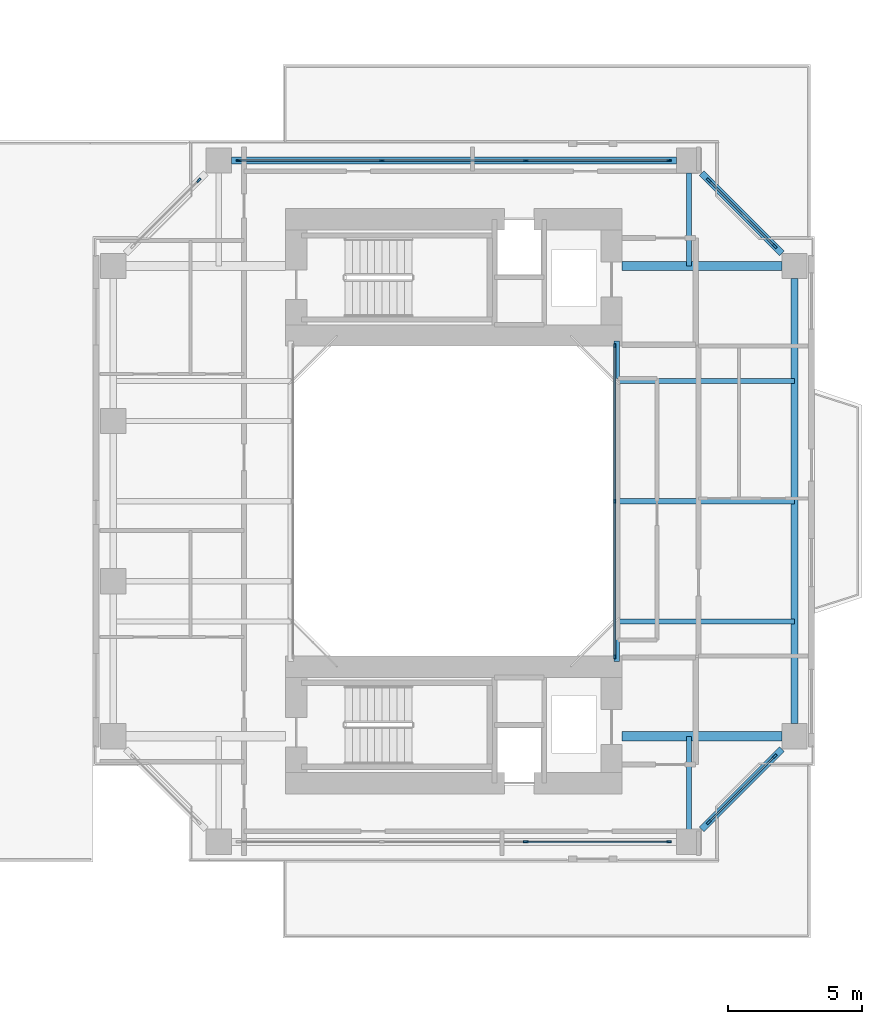
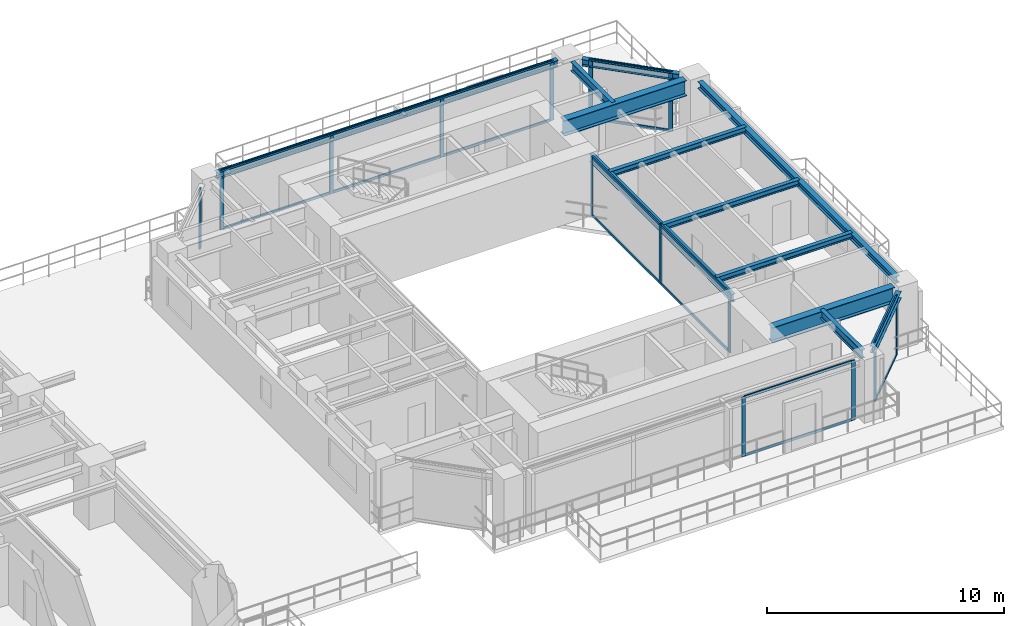
# One storey, part 8 of 22: 30 members, 12 beams, 6 elements without a shape of their own.
"""IFC4 building model written with IfcOpenShell, lengths in metres."""

from ifc_helpers import new_model, si_unit, direction, frame, origin, origin_2d, place, context, subcontext, project, spatial, rectangle, i_section, extrude, source, transform, mapped, material, layer, layer_set, material_profile, profile_set, type_object, element, aggregate, save


model = new_model("IFC4")

# Units and contexts
model_context = context("Model", 3, precision=1e-05, world=origin(), true_north=direction((0.0, 1.0)))
body_context = subcontext(model_context, "Body", "Model", "MODEL_VIEW")
ifc_project = project(units=[si_unit("LENGTHUNIT", "METRE"), si_unit("AREAUNIT", "SQUARE_METRE"), si_unit("VOLUMEUNIT", "CUBIC_METRE"), si_unit("PLANEANGLEUNIT", "RADIAN"), si_unit("MASSUNIT", "GRAM", prefix="KILO"), si_unit("THERMODYNAMICTEMPERATUREUNIT", "KELVIN"), si_unit("POWERUNIT", "WATT")], contexts=[model_context])

# Site, building, storey
site_placement = place(None, origin())
site = spatial("IfcSite", under=ifc_project, at=site_placement, CompositionType="ELEMENT")
building_placement = place(site_placement, origin())
building = spatial("IfcBuilding", under=site, at=building_placement, Name="Qiaomeng Ring Towers", CompositionType="ELEMENT")
storey_placement = place(building_placement, frame((0.0, 0.0, 23.0)))
storey = spatial("IfcBuildingStorey", under=building, at=storey_placement, Name="L05", CompositionType="ELEMENT", Elevation=23.0)

# Beams
ifc_material_1 = material(Name="Steel Q355B", Category="steel")
ifc_material_profile_1 = material_profile(ifc_material_1, i_section(OverallWidth=0.25, OverallDepth=0.340087890625, WebThickness=0.009033203125, FlangeThickness=0.013916015625, FilletRadius=0.02001953125, at=origin_2d()), Name="HM 340x250x9x14")
ifc_profile_set_1 = profile_set([ifc_material_profile_1], Name="Steel Q355B")
beam_type_1 = type_object("IfcBeamType", Name="STR-BM-HM340", PredefinedType="SPANDREL", material=ifc_profile_set_1)
shared_shape_1 = source(origin(), body_context, "Body", "SweptSolid", [
    extrude(i_section(OverallWidth=0.25, OverallDepth=0.340087890625, WebThickness=0.009033203125, FlangeThickness=0.013916015625, FilletRadius=0.02001953125, at=origin_2d()), origin(), (0.0, 0.0, 1.0), 16.65185546875),
])
for number, where, z_axis, x_axis, name in (
    (1, (73.25, 14.674072265625, 2.89990234375), (0.0, 1.0, 0.0), (-1.0, 0.0, 0.0), "L05 beam STR-SP-L05-T2-E1-E2"),
    (2, (68.825927734375, 35.75, 2.89990234375), (-1.0, 0.0, 0.0), (0.0, -1.0, 0.0), "L05 beam STR-SP-L05-T2-N2-N1"),
):
    element("IfcBeam", number, at=place(storey_placement, frame(where, z_axis=z_axis, x_axis=x_axis)), inside=storey, type_object=beam_type_1, Name=name, PredefinedType="SPANDREL", context=body_context, shape_type="MappedRepresentation", body=[
        mapped(shared_shape_1, transform((0.0, 0.0, 0.0), x_axis=(1.0, 0.0, 0.0), y_axis=(0.0, 1.0, 0.0), z_axis=(0.0, 0.0, 1.0), scale=1.0)),
    ])
shared_shape_2 = source(origin(), body_context, "Body", "SweptSolid", [
    extrude(i_section(OverallWidth=0.25, OverallDepth=0.340087890625, WebThickness=0.009033203125, FlangeThickness=0.013916015625, FilletRadius=0.02001953125, at=origin_2d()), origin(), (0.0, 0.0, 1.0), 4.244384765625),
])
for number, where, z_axis, x_axis, name in (
    (3, (69.7744140625, 10.724365234375, 2.89990234375), (0.707106781187, 0.707106781187, 0.0), (-0.707106781187, 0.707106781187, 0.0), "L05 beam STR-SP-L05-T2-S2-E1"),
    (4, (72.775634765625, 32.2744140625, 2.89990234375), (-0.707106781187, 0.707106781187, 0.0), (-0.707106781187, -0.707106781187, 0.0), "L05 beam STR-SP-L05-T2-E2-N2"),
):
    element("IfcBeam", number, at=place(storey_placement, frame(where, z_axis=z_axis, x_axis=x_axis)), inside=storey, type_object=beam_type_1, Name=name, PredefinedType="SPANDREL", context=body_context, shape_type="MappedRepresentation", body=[
        mapped(shared_shape_2, transform((0.0, 0.0, 0.0), x_axis=(1.0, 0.0, 0.0), y_axis=(0.0, 1.0, 0.0), z_axis=(0.0, 0.0, 1.0), scale=1.0)),
    ])
ifc_material_profile_2 = material_profile(ifc_material_1, i_section(OverallWidth=0.199951171875, OverallDepth=0.39990234375, WebThickness=0.008056640625, FlangeThickness=0.012939453125, FilletRadius=0.01611328125, at=origin_2d()), Name="HN 400x200x8x13")
ifc_profile_set_2 = profile_set([ifc_material_profile_2], Name="Steel Q355B")
beam_type_2 = type_object("IfcBeamType", Name="STR-BM-HN400", PredefinedType="SPANDREL", material=ifc_profile_set_2)
shared_shape_3 = source(origin(), body_context, "Body", "SweptSolid", [
    extrude(i_section(OverallWidth=0.199951171875, OverallDepth=0.39990234375, WebThickness=0.008056640625, FlangeThickness=0.012939453125, FilletRadius=0.01611328125, at=origin_2d()), origin(), (0.0, 0.0, 1.0), 12.0),
])
beam_placement = place(storey_placement, frame((66.60009765625, 17.0, 2.8701171875), z_axis=(0.0, 1.0, 0.0), x_axis=(-1.0, 0.0, 0.0)))
element("IfcBeam", 5, at=beam_placement, inside=storey, type_object=beam_type_2, Name="L05 beam STR-BM-L05-T2-WELL-E", PredefinedType="SPANDREL", context=body_context, shape_type="MappedRepresentation", body=[
    mapped(shared_shape_3, transform((0.0, 0.0, 0.0), x_axis=(1.0, 0.0, 0.0), y_axis=(0.0, 1.0, 0.0), z_axis=(0.0, 0.0, 1.0), scale=1.0)),
])
ifc_material_2 = material(Name="Steel Q390GJC", Category="steel")
ifc_material_profile_3 = material_profile(ifc_material_2, i_section(OverallWidth=0.35009765625, OverallDepth=0.800048828125, WebThickness=0.01611328125, FlangeThickness=0.028076171875, at=origin_2d()), Name="WH 800x350x16x28")
ifc_profile_set_3 = profile_set([ifc_material_profile_3], Name="Steel Q390GJC")
beam_type_3 = type_object("IfcBeamType", Name="STR-BM-WH800", PredefinedType="BEAM", material=ifc_profile_set_3)
shared_shape_4 = source(origin(), body_context, "Body", "SweptSolid", [
    extrude(i_section(OverallWidth=0.35009765625, OverallDepth=0.800048828125, WebThickness=0.01611328125, FlangeThickness=0.028076171875, at=origin_2d()), origin(), (0.0, 0.0, 1.0), 5.975830078125),
])
for number, where, z_axis, x_axis, name in (
    (6, (66.800048828125, 14.199951171875, 2.669921875), (1.0, 0.0, 0.0), (0.0, 1.0, 0.0), "L05 beam STR-BM-L05-T2-RAD-E1"),
    (7, (66.800048828125, 31.800048828125, 2.669921875), (1.0, 0.0, 0.0), (0.0, 1.0, 0.0), "L05 beam STR-BM-L05-T2-RAD-E2"),
):
    element("IfcBeam", number, at=place(storey_placement, frame(where, z_axis=z_axis, x_axis=x_axis)), inside=storey, type_object=beam_type_3, Name=name, PredefinedType="BEAM", context=body_context, shape_type="MappedRepresentation", body=[
        mapped(shared_shape_4, transform((0.0, 0.0, 0.0), x_axis=(1.0, 0.0, 0.0), y_axis=(0.0, 1.0, 0.0), z_axis=(0.0, 0.0, 1.0), scale=1.0)),
    ])
ifc_material_profile_4 = material_profile(ifc_material_1, i_section(OverallWidth=0.199951171875, OverallDepth=0.449951171875, WebThickness=0.009033203125, FlangeThickness=0.013916015625, FilletRadius=0.01806640625, at=origin_2d()), Name="HN 450x200x9x14")
ifc_profile_set_4 = profile_set([ifc_material_profile_4], Name="Steel Q355B")
beam_type_4 = type_object("IfcBeamType", Name="STR-BM-HN450", PredefinedType="SPANDREL", material=ifc_profile_set_4)
shared_shape_5 = source(origin(), body_context, "Body", "SweptSolid", [
    extrude(i_section(OverallWidth=0.199951171875, OverallDepth=0.449951171875, WebThickness=0.009033203125, FlangeThickness=0.013916015625, FilletRadius=0.01806640625, at=origin_2d()), origin(), (0.0, 0.0, 1.0), 3.475830078125),
])
for number, where, z_axis, x_axis, name in (
    (8, (69.300048828125, 35.27587890625, 2.844970703125), (0.0, -1.0, 0.0), (1.0, 0.0, 0.0), "L05 beam STR-BM-L05-T2-RAD-N2"),
    (9, (69.300048828125, 10.72412109375, 2.844970703125), (0.0, 1.0, 0.0), (-1.0, 0.0, 0.0), "L05 beam STR-BM-L05-T2-RAD-S2"),
):
    element("IfcBeam", number, at=place(storey_placement, frame(where, z_axis=z_axis, x_axis=x_axis)), inside=storey, type_object=beam_type_4, Name=name, PredefinedType="SPANDREL", context=body_context, shape_type="MappedRepresentation", body=[
        mapped(shared_shape_5, transform((0.0, 0.0, 0.0), x_axis=(1.0, 0.0, 0.0), y_axis=(0.0, 1.0, 0.0), z_axis=(0.0, 0.0, 1.0), scale=1.0)),
    ])
ifc_material_profile_5 = material_profile(ifc_material_1, i_section(OverallWidth=0.199951171875, OverallDepth=0.2939453125, WebThickness=0.008056640625, FlangeThickness=0.011962890625, FilletRadius=0.01806640625, at=origin_2d()), Name="HM 294x200x8x12")
ifc_profile_set_5 = profile_set([ifc_material_profile_5], Name="Steel Q355B")
beam_type_5 = type_object("IfcBeamType", Name="STR-BM-HM294", PredefinedType="JOIST", material=ifc_profile_set_5)
shared_shape_6 = source(origin(), body_context, "Body", "SweptSolid", [
    extrude(i_section(OverallWidth=0.199951171875, OverallDepth=0.2939453125, WebThickness=0.008056640625, FlangeThickness=0.011962890625, FilletRadius=0.01806640625, at=origin_2d()), origin(), (0.0, 0.0, 1.0), 6.64990234375),
])
for number, where, z_axis, x_axis, name in (
    (10, (66.60009765625, 18.5, 2.923095703125), (1.0, 0.0, 0.0), (0.0, 1.0, 0.0), "L05 beam STR-JST-L05-T2E-1"),
    (11, (66.60009765625, 23.0, 2.923095703125), (1.0, 0.0, 0.0), (0.0, 1.0, 0.0), "L05 beam STR-JST-L05-T2E-2"),
    (12, (66.60009765625, 27.5, 2.923095703125), (1.0, 0.0, 0.0), (0.0, 1.0, 0.0), "L05 beam STR-JST-L05-T2E-3"),
):
    element("IfcBeam", number, at=place(storey_placement, frame(where, z_axis=z_axis, x_axis=x_axis)), inside=storey, type_object=beam_type_5, Name=name, PredefinedType="JOIST", context=body_context, shape_type="MappedRepresentation", body=[
        mapped(shared_shape_6, transform((0.0, 0.0, 0.0), x_axis=(1.0, 0.0, 0.0), y_axis=(0.0, 1.0, 0.0), z_axis=(0.0, 0.0, 1.0), scale=1.0)),
    ])

# Curtain wall, members
ifc_material_3 = material(Name="Fluorocarbon dark-grey aluminium", Category="aluminium")
ifc_layer_1 = layer(ifc_material_3, 0.139892578125, Name="Fluorocarbon dark-grey aluminium")
ifc_layer_set_1 = layer_set([ifc_layer_1], Name="Fluorocarbon dark-grey aluminium")
curtain_wall_type_1 = type_object("IfcCurtainWallType", Name="ARC-CW-4", PredefinedType="NOTDEFINED", material=ifc_layer_set_1)
curtain_wall_1_placement = place(storey_placement, origin())
curtain_wall_1 = element("IfcCurtainWall", 13, at=curtain_wall_1_placement, inside=storey, type_object=curtain_wall_type_1, Name="L05 Curtain Wall CW4", PredefinedType="NOTDEFINED")
ifc_material_profile_6 = material_profile(ifc_material_3, rectangle(XDim=0.06494140625, YDim=0.159912109375, at=origin_2d()), Name="ALU MULL 65x160")
ifc_profile_set_6 = profile_set([ifc_material_profile_6], Name="Fluorocarbon dark-grey aluminium")
member_type_1 = type_object("IfcMemberType", Name="ARC-CWM-140", PredefinedType="MULLION", material=ifc_profile_set_6)
shared_shape_7 = source(origin(), body_context, "Body", "SweptSolid", [
    extrude(rectangle(XDim=0.06494140625, YDim=0.159912109375, at=origin_2d()), origin(), (0.0, 0.0, 1.0), 3.070068359375),
])
member_1_placement = place(storey_placement, frame((66.52001953125, 17.1826171875, 0.0), z_axis=(0.0, 0.0, 1.0), x_axis=(-1.0, 0.0, 0.0)))
member_1 = element("IfcMember", 14, at=member_1_placement, type_object=member_type_1, Name="CW4 mullion 1", PredefinedType="MULLION", context=body_context, shape_type="MappedRepresentation", body=[
    mapped(shared_shape_7, transform((0.0, 0.0, 0.0), x_axis=(1.0, 0.0, 0.0), y_axis=(0.0, 1.0, 0.0), z_axis=(0.0, 0.0, 1.0), scale=1.0)),
])
member_2_placement = place(storey_placement, frame((66.52001953125, 23.0, 0.0), z_axis=(0.0, 0.0, 1.0), x_axis=(-1.0, 0.0, 0.0)))
member_2 = element("IfcMember", 15, at=member_2_placement, type_object=member_type_1, Name="CW4 mullion 2", PredefinedType="MULLION", context=body_context, shape_type="MappedRepresentation", body=[
    mapped(shared_shape_7, transform((0.0, 0.0, 0.0), x_axis=(1.0, 0.0, 0.0), y_axis=(0.0, 1.0, 0.0), z_axis=(0.0, 0.0, 1.0), scale=1.0)),
])
member_3_placement = place(storey_placement, frame((66.52001953125, 28.8173828125, 0.0), z_axis=(0.0, 0.0, 1.0), x_axis=(-1.0, 0.0, 0.0)))
member_3 = element("IfcMember", 16, at=member_3_placement, type_object=member_type_1, Name="CW4 mullion 3", PredefinedType="MULLION", context=body_context, shape_type="MappedRepresentation", body=[
    mapped(shared_shape_7, transform((0.0, 0.0, 0.0), x_axis=(1.0, 0.0, 0.0), y_axis=(0.0, 1.0, 0.0), z_axis=(0.0, 0.0, 1.0), scale=1.0)),
])
ifc_material_profile_7 = material_profile(ifc_material_3, rectangle(XDim=0.06494140625, YDim=0.1298828125, at=origin_2d()), Name="ALU TRAN 65x130")
ifc_profile_set_7 = profile_set([ifc_material_profile_7], Name="Fluorocarbon dark-grey aluminium")
member_type_2 = type_object("IfcMemberType", Name="ARC-CWT-120", PredefinedType="USERDEFINED", material=ifc_profile_set_7)
shared_shape_8 = source(origin(), body_context, "Body", "SweptSolid", [
    extrude(rectangle(XDim=0.06494140625, YDim=0.1298828125, at=origin_2d()), origin(), (0.0, 0.0, 1.0), 5.75244140625),
])
member_4_placement = place(storey_placement, frame((66.52001953125, 17.215087890625, 0.032470703125), z_axis=(0.0, 1.0, 0.0), x_axis=(-1.0, 0.0, 0.0)))
member_4 = element("IfcMember", 17, at=member_4_placement, type_object=member_type_2, Name="CW4 transom 1.1", ObjectType="TRANSOM", PredefinedType="USERDEFINED", context=body_context, shape_type="MappedRepresentation", body=[
    mapped(shared_shape_8, transform((0.0, 0.0, 0.0), x_axis=(1.0, 0.0, 0.0), y_axis=(0.0, 1.0, 0.0), z_axis=(0.0, 0.0, 1.0), scale=1.0)),
])
member_5_placement = place(storey_placement, frame((66.52001953125, 17.215087890625, 3.03759765625), z_axis=(0.0, 1.0, 0.0), x_axis=(-1.0, 0.0, 0.0)))
member_5 = element("IfcMember", 18, at=member_5_placement, type_object=member_type_2, Name="CW4 transom 1.2", ObjectType="TRANSOM", PredefinedType="USERDEFINED", context=body_context, shape_type="MappedRepresentation", body=[
    mapped(shared_shape_8, transform((0.0, 0.0, 0.0), x_axis=(1.0, 0.0, 0.0), y_axis=(0.0, 1.0, 0.0), z_axis=(0.0, 0.0, 1.0), scale=1.0)),
])
member_6_placement = place(storey_placement, frame((66.52001953125, 23.032470703125, 0.032470703125), z_axis=(0.0, 1.0, 0.0), x_axis=(-1.0, 0.0, 0.0)))
member_6 = element("IfcMember", 19, at=member_6_placement, type_object=member_type_2, Name="CW4 transom 2.1", ObjectType="TRANSOM", PredefinedType="USERDEFINED", context=body_context, shape_type="MappedRepresentation", body=[
    mapped(shared_shape_8, transform((0.0, 0.0, 0.0), x_axis=(1.0, 0.0, 0.0), y_axis=(0.0, 1.0, 0.0), z_axis=(0.0, 0.0, 1.0), scale=1.0)),
])
member_7_placement = place(storey_placement, frame((66.52001953125, 23.032470703125, 3.03759765625), z_axis=(0.0, 1.0, 0.0), x_axis=(-1.0, 0.0, 0.0)))
member_7 = element("IfcMember", 20, at=member_7_placement, type_object=member_type_2, Name="CW4 transom 2.2", ObjectType="TRANSOM", PredefinedType="USERDEFINED", context=body_context, shape_type="MappedRepresentation", body=[
    mapped(shared_shape_8, transform((0.0, 0.0, 0.0), x_axis=(1.0, 0.0, 0.0), y_axis=(0.0, 1.0, 0.0), z_axis=(0.0, 0.0, 1.0), scale=1.0)),
])
aggregate(curtain_wall_1, [member_1, member_2, member_3, member_4, member_5, member_6, member_7])

ifc_layer_2 = layer(ifc_material_3, 0.14990234375, Name="Fluorocarbon dark-grey aluminium")
ifc_layer_set_2 = layer_set([ifc_layer_2], Name="Fluorocarbon dark-grey aluminium")
curtain_wall_type_2 = type_object("IfcCurtainWallType", Name="ARC-CW-5", PredefinedType="NOTDEFINED", material=ifc_layer_set_2)
curtain_wall_2_placement = place(storey_placement, origin())
curtain_wall_2 = element("IfcCurtainWall", 21, at=curtain_wall_2_placement, inside=storey, type_object=curtain_wall_type_2, Name="L05 Curtain Wall CW5", PredefinedType="NOTDEFINED")
ifc_material_profile_8 = material_profile(ifc_material_3, rectangle(XDim=0.070068359375, YDim=0.179931640625, at=origin_2d()), Name="ALU MULL 70x180")
ifc_profile_set_8 = profile_set([ifc_material_profile_8], Name="Fluorocarbon dark-grey aluminium")
member_type_3 = type_object("IfcMemberType", Name="ARC-CWM-160", PredefinedType="MULLION", material=ifc_profile_set_8)
shared_shape_9 = source(origin(), body_context, "Body", "SweptSolid", [
    extrude(rectangle(XDim=0.070068359375, YDim=0.179931640625, at=origin_2d()), origin(), (0.0, 0.0, 1.0), 3.070068359375),
])
member_8_placement = place(storey_placement, frame((52.449951171875, 35.75, 0.0), z_axis=(0.0, 0.0, 1.0), x_axis=(0.0, 1.0, 0.0)))
member_8 = element("IfcMember", 22, at=member_8_placement, type_object=member_type_3, Name="CW5 mullion 1", PredefinedType="MULLION", context=body_context, shape_type="MappedRepresentation", body=[
    mapped(shared_shape_9, transform((0.0, 0.0, 0.0), x_axis=(1.0, 0.0, 0.0), y_axis=(0.0, 1.0, 0.0), z_axis=(0.0, 0.0, 1.0), scale=1.0)),
])
member_9_placement = place(storey_placement, frame((57.804931640625, 35.75, 0.0), z_axis=(0.0, 0.0, 1.0), x_axis=(0.0, 1.0, 0.0)))
member_9 = element("IfcMember", 23, at=member_9_placement, type_object=member_type_3, Name="CW5 mullion 2", PredefinedType="MULLION", context=body_context, shape_type="MappedRepresentation", body=[
    mapped(shared_shape_9, transform((0.0, 0.0, 0.0), x_axis=(1.0, 0.0, 0.0), y_axis=(0.0, 1.0, 0.0), z_axis=(0.0, 0.0, 1.0), scale=1.0)),
])
member_10_placement = place(storey_placement, frame((63.195068359375, 35.75, 0.0), z_axis=(0.0, 0.0, 1.0), x_axis=(0.0, 1.0, 0.0)))
member_10 = element("IfcMember", 24, at=member_10_placement, type_object=member_type_3, Name="CW5 mullion 3", PredefinedType="MULLION", context=body_context, shape_type="MappedRepresentation", body=[
    mapped(shared_shape_9, transform((0.0, 0.0, 0.0), x_axis=(1.0, 0.0, 0.0), y_axis=(0.0, 1.0, 0.0), z_axis=(0.0, 0.0, 1.0), scale=1.0)),
])
member_11_placement = place(storey_placement, frame((68.550048828125, 35.75, 0.0), z_axis=(0.0, 0.0, 1.0), x_axis=(0.0, 1.0, 0.0)))
member_11 = element("IfcMember", 25, at=member_11_placement, type_object=member_type_3, Name="CW5 mullion 4", PredefinedType="MULLION", context=body_context, shape_type="MappedRepresentation", body=[
    mapped(shared_shape_9, transform((0.0, 0.0, 0.0), x_axis=(1.0, 0.0, 0.0), y_axis=(0.0, 1.0, 0.0), z_axis=(0.0, 0.0, 1.0), scale=1.0)),
])

curtain_wall_3_placement = place(storey_placement, origin())
curtain_wall_3 = element("IfcCurtainWall", 26, at=curtain_wall_3_placement, inside=storey, type_object=curtain_wall_type_2, Name="L05 Curtain Wall CW5", PredefinedType="NOTDEFINED")
member_12_placement = place(storey_placement, frame((70.039794921875, 10.98974609375, 0.0), z_axis=(0.0, 0.0, 1.0), x_axis=(-0.707106781187, 0.707106781187, 0.0)))
member_12 = element("IfcMember", 27, at=member_12_placement, type_object=member_type_3, Name="CW5 mullion 1", PredefinedType="MULLION", context=body_context, shape_type="MappedRepresentation", body=[
    mapped(shared_shape_9, transform((0.0, 0.0, 0.0), x_axis=(1.0, 0.0, 0.0), y_axis=(0.0, 1.0, 0.0), z_axis=(0.0, 0.0, 1.0), scale=1.0)),
])
member_13_placement = place(storey_placement, frame((72.51025390625, 13.460205078125, 0.0), z_axis=(0.0, 0.0, 1.0), x_axis=(-0.707106781187, 0.707106781187, 0.0)))
member_13 = element("IfcMember", 28, at=member_13_placement, type_object=member_type_3, Name="CW5 mullion 2", PredefinedType="MULLION", context=body_context, shape_type="MappedRepresentation", body=[
    mapped(shared_shape_9, transform((0.0, 0.0, 0.0), x_axis=(1.0, 0.0, 0.0), y_axis=(0.0, 1.0, 0.0), z_axis=(0.0, 0.0, 1.0), scale=1.0)),
])

curtain_wall_4_placement = place(storey_placement, origin())
curtain_wall_4 = element("IfcCurtainWall", 29, at=curtain_wall_4_placement, inside=storey, type_object=curtain_wall_type_2, Name="L05 Curtain Wall CW5", PredefinedType="NOTDEFINED")
member_14_placement = place(storey_placement, frame((72.51025390625, 32.539794921875, 0.0), z_axis=(0.0, 0.0, 1.0), x_axis=(-0.707106781187, -0.707106781187, 0.0)))
member_14 = element("IfcMember", 30, at=member_14_placement, type_object=member_type_3, Name="CW5 mullion 1", PredefinedType="MULLION", context=body_context, shape_type="MappedRepresentation", body=[
    mapped(shared_shape_9, transform((0.0, 0.0, 0.0), x_axis=(1.0, 0.0, 0.0), y_axis=(0.0, 1.0, 0.0), z_axis=(0.0, 0.0, 1.0), scale=1.0)),
])
member_15_placement = place(storey_placement, frame((70.039794921875, 35.01025390625, 0.0), z_axis=(0.0, 0.0, 1.0), x_axis=(-0.707106781187, -0.707106781187, 0.0)))
member_15 = element("IfcMember", 31, at=member_15_placement, type_object=member_type_3, Name="CW5 mullion 2", PredefinedType="MULLION", context=body_context, shape_type="MappedRepresentation", body=[
    mapped(shared_shape_9, transform((0.0, 0.0, 0.0), x_axis=(1.0, 0.0, 0.0), y_axis=(0.0, 1.0, 0.0), z_axis=(0.0, 0.0, 1.0), scale=1.0)),
])

# Curtain wall, member
curtain_wall_5_placement = place(storey_placement, origin())
curtain_wall_5 = element("IfcCurtainWall", 32, at=curtain_wall_5_placement, inside=storey, type_object=curtain_wall_type_2, Name="L05 Curtain Wall CW5", PredefinedType="NOTDEFINED")
member_16_placement = place(storey_placement, frame((50.960205078125, 35.01025390625, 0.0), z_axis=(0.0, 0.0, 1.0), x_axis=(0.707106781187, -0.707106781187, 0.0)))
member_16 = element("IfcMember", 33, at=member_16_placement, type_object=member_type_3, Name="CW5 mullion 1", PredefinedType="MULLION", context=body_context, shape_type="MappedRepresentation", body=[
    mapped(shared_shape_9, transform((0.0, 0.0, 0.0), x_axis=(1.0, 0.0, 0.0), y_axis=(0.0, 1.0, 0.0), z_axis=(0.0, 0.0, 1.0), scale=1.0)),
])
aggregate(curtain_wall_5, [member_16])

# Curtain wall, members
curtain_wall_6_placement = place(storey_placement, origin())
curtain_wall_6 = element("IfcCurtainWall", 34, at=curtain_wall_6_placement, inside=storey, type_object=curtain_wall_type_2, Name="L05 Curtain Wall CW5", PredefinedType="NOTDEFINED")
member_17_placement = place(storey_placement, frame((63.195068359375, 10.25, 0.0), z_axis=(0.0, 0.0, 1.0), x_axis=(0.0, 1.0, 0.0)))
member_17 = element("IfcMember", 35, at=member_17_placement, type_object=member_type_3, Name="CW5 mullion 3", PredefinedType="MULLION", context=body_context, shape_type="MappedRepresentation", body=[
    mapped(shared_shape_9, transform((0.0, 0.0, 0.0), x_axis=(1.0, 0.0, 0.0), y_axis=(0.0, 1.0, 0.0), z_axis=(0.0, 0.0, 1.0), scale=1.0)),
])
member_18_placement = place(storey_placement, frame((68.550048828125, 10.25, 0.0), z_axis=(0.0, 0.0, 1.0), x_axis=(0.0, 1.0, 0.0)))
member_18 = element("IfcMember", 36, at=member_18_placement, type_object=member_type_3, Name="CW5 mullion 4", PredefinedType="MULLION", context=body_context, shape_type="MappedRepresentation", body=[
    mapped(shared_shape_9, transform((0.0, 0.0, 0.0), x_axis=(1.0, 0.0, 0.0), y_axis=(0.0, 1.0, 0.0), z_axis=(0.0, 0.0, 1.0), scale=1.0)),
])

# Member
shared_shape_10 = source(origin(), body_context, "Body", "SweptSolid", [
    extrude(rectangle(XDim=0.06494140625, YDim=0.1298828125, at=origin_2d()), origin(), (0.0, 0.0, 1.0), 5.284912109375),
])
member_19_placement = place(storey_placement, frame((52.485107421875, 35.75, 0.032470703125), z_axis=(1.0, 0.0, 0.0), x_axis=(0.0, 1.0, 0.0)))
member_19 = element("IfcMember", 37, at=member_19_placement, type_object=member_type_2, Name="CW5 transom 1.1", ObjectType="TRANSOM", PredefinedType="USERDEFINED", context=body_context, shape_type="MappedRepresentation", body=[
    mapped(shared_shape_10, transform((0.0, 0.0, 0.0), x_axis=(1.0, 0.0, 0.0), y_axis=(0.0, 1.0, 0.0), z_axis=(0.0, 0.0, 1.0), scale=1.0)),
])

member_20_placement = place(storey_placement, frame((52.485107421875, 35.75, 3.03759765625), z_axis=(1.0, 0.0, 0.0), x_axis=(0.0, 1.0, 0.0)))
member_20 = element("IfcMember", 38, at=member_20_placement, type_object=member_type_2, Name="CW5 transom 1.2", ObjectType="TRANSOM", PredefinedType="USERDEFINED", context=body_context, shape_type="MappedRepresentation", body=[
    mapped(shared_shape_10, transform((0.0, 0.0, 0.0), x_axis=(1.0, 0.0, 0.0), y_axis=(0.0, 1.0, 0.0), z_axis=(0.0, 0.0, 1.0), scale=1.0)),
])

member_21_placement = place(storey_placement, frame((63.22998046875, 35.75, 0.032470703125), z_axis=(1.0, 0.0, 0.0), x_axis=(0.0, 1.0, 0.0)))
member_21 = element("IfcMember", 39, at=member_21_placement, type_object=member_type_2, Name="CW5 transom 3.1", ObjectType="TRANSOM", PredefinedType="USERDEFINED", context=body_context, shape_type="MappedRepresentation", body=[
    mapped(shared_shape_10, transform((0.0, 0.0, 0.0), x_axis=(1.0, 0.0, 0.0), y_axis=(0.0, 1.0, 0.0), z_axis=(0.0, 0.0, 1.0), scale=1.0)),
])

member_22_placement = place(storey_placement, frame((63.22998046875, 35.75, 3.03759765625), z_axis=(1.0, 0.0, 0.0), x_axis=(0.0, 1.0, 0.0)))
member_22 = element("IfcMember", 40, at=member_22_placement, type_object=member_type_2, Name="CW5 transom 3.2", ObjectType="TRANSOM", PredefinedType="USERDEFINED", context=body_context, shape_type="MappedRepresentation", body=[
    mapped(shared_shape_10, transform((0.0, 0.0, 0.0), x_axis=(1.0, 0.0, 0.0), y_axis=(0.0, 1.0, 0.0), z_axis=(0.0, 0.0, 1.0), scale=1.0)),
])

member_23_placement = place(storey_placement, frame((63.22998046875, 10.25, 0.032470703125), z_axis=(1.0, 0.0, 0.0), x_axis=(0.0, 1.0, 0.0)))
member_23 = element("IfcMember", 41, at=member_23_placement, type_object=member_type_2, Name="CW5 transom 3.1", ObjectType="TRANSOM", PredefinedType="USERDEFINED", context=body_context, shape_type="MappedRepresentation", body=[
    mapped(shared_shape_10, transform((0.0, 0.0, 0.0), x_axis=(1.0, 0.0, 0.0), y_axis=(0.0, 1.0, 0.0), z_axis=(0.0, 0.0, 1.0), scale=1.0)),
])

member_24_placement = place(storey_placement, frame((63.22998046875, 10.25, 3.03759765625), z_axis=(1.0, 0.0, 0.0), x_axis=(0.0, 1.0, 0.0)))
member_24 = element("IfcMember", 42, at=member_24_placement, type_object=member_type_2, Name="CW5 transom 3.2", ObjectType="TRANSOM", PredefinedType="USERDEFINED", context=body_context, shape_type="MappedRepresentation", body=[
    mapped(shared_shape_10, transform((0.0, 0.0, 0.0), x_axis=(1.0, 0.0, 0.0), y_axis=(0.0, 1.0, 0.0), z_axis=(0.0, 0.0, 1.0), scale=1.0)),
])

aggregate(curtain_wall_6, [member_17, member_18, member_23, member_24])

shared_shape_11 = source(origin(), body_context, "Body", "SweptSolid", [
    extrude(rectangle(XDim=0.06494140625, YDim=0.1298828125, at=origin_2d()), origin(), (0.0, 0.0, 1.0), 5.31982421875),
])
member_25_placement = place(storey_placement, frame((57.840087890625, 35.75, 0.032470703125), z_axis=(1.0, 0.0, 0.0), x_axis=(0.0, 1.0, 0.0)))
member_25 = element("IfcMember", 43, at=member_25_placement, type_object=member_type_2, Name="CW5 transom 2.1", ObjectType="TRANSOM", PredefinedType="USERDEFINED", context=body_context, shape_type="MappedRepresentation", body=[
    mapped(shared_shape_11, transform((0.0, 0.0, 0.0), x_axis=(1.0, 0.0, 0.0), y_axis=(0.0, 1.0, 0.0), z_axis=(0.0, 0.0, 1.0), scale=1.0)),
])

member_26_placement = place(storey_placement, frame((57.840087890625, 35.75, 3.03759765625), z_axis=(1.0, 0.0, 0.0), x_axis=(0.0, 1.0, 0.0)))
member_26 = element("IfcMember", 44, at=member_26_placement, type_object=member_type_2, Name="CW5 transom 2.2", ObjectType="TRANSOM", PredefinedType="USERDEFINED", context=body_context, shape_type="MappedRepresentation", body=[
    mapped(shared_shape_11, transform((0.0, 0.0, 0.0), x_axis=(1.0, 0.0, 0.0), y_axis=(0.0, 1.0, 0.0), z_axis=(0.0, 0.0, 1.0), scale=1.0)),
])

aggregate(curtain_wall_2, [member_8, member_9, member_10, member_11, member_19, member_20, member_25, member_26, member_21, member_22])

shared_shape_12 = source(origin(), body_context, "Body", "SweptSolid", [
    extrude(rectangle(XDim=0.06494140625, YDim=0.1298828125, at=origin_2d()), origin(), (0.0, 0.0, 1.0), 3.424072265625),
])
member_27_placement = place(storey_placement, frame((70.064453125, 11.014404296875, 0.032470703125), z_axis=(0.707106781187, 0.707106781187, 0.0), x_axis=(-0.707106781187, 0.707106781187, 0.0)))
member_27 = element("IfcMember", 45, at=member_27_placement, type_object=member_type_2, Name="CW5 transom 1.1", ObjectType="TRANSOM", PredefinedType="USERDEFINED", context=body_context, shape_type="MappedRepresentation", body=[
    mapped(shared_shape_12, transform((0.0, 0.0, 0.0), x_axis=(1.0, 0.0, 0.0), y_axis=(0.0, 1.0, 0.0), z_axis=(0.0, 0.0, 1.0), scale=1.0)),
])

member_28_placement = place(storey_placement, frame((70.064453125, 11.014404296875, 3.03759765625), z_axis=(0.707106781187, 0.707106781187, 0.0), x_axis=(-0.707106781187, 0.707106781187, 0.0)))
member_28 = element("IfcMember", 46, at=member_28_placement, type_object=member_type_2, Name="CW5 transom 1.2", ObjectType="TRANSOM", PredefinedType="USERDEFINED", context=body_context, shape_type="MappedRepresentation", body=[
    mapped(shared_shape_12, transform((0.0, 0.0, 0.0), x_axis=(1.0, 0.0, 0.0), y_axis=(0.0, 1.0, 0.0), z_axis=(0.0, 0.0, 1.0), scale=1.0)),
])

aggregate(curtain_wall_3, [member_12, member_13, member_27, member_28])

member_29_placement = place(storey_placement, frame((72.485595703125, 32.564453125, 0.032470703125), z_axis=(-0.707106781187, 0.707106781187, 0.0), x_axis=(-0.707106781187, -0.707106781187, 0.0)))
member_29 = element("IfcMember", 47, at=member_29_placement, type_object=member_type_2, Name="CW5 transom 1.1", ObjectType="TRANSOM", PredefinedType="USERDEFINED", context=body_context, shape_type="MappedRepresentation", body=[
    mapped(shared_shape_12, transform((0.0, 0.0, 0.0), x_axis=(1.0, 0.0, 0.0), y_axis=(0.0, 1.0, 0.0), z_axis=(0.0, 0.0, 1.0), scale=1.0)),
])

member_30_placement = place(storey_placement, frame((72.485595703125, 32.564453125, 3.03759765625), z_axis=(-0.707106781187, 0.707106781187, 0.0), x_axis=(-0.707106781187, -0.707106781187, 0.0)))
member_30 = element("IfcMember", 48, at=member_30_placement, type_object=member_type_2, Name="CW5 transom 1.2", ObjectType="TRANSOM", PredefinedType="USERDEFINED", context=body_context, shape_type="MappedRepresentation", body=[
    mapped(shared_shape_12, transform((0.0, 0.0, 0.0), x_axis=(1.0, 0.0, 0.0), y_axis=(0.0, 1.0, 0.0), z_axis=(0.0, 0.0, 1.0), scale=1.0)),
])

aggregate(curtain_wall_4, [member_14, member_15, member_29, member_30])

save(model, "model.ifc")
